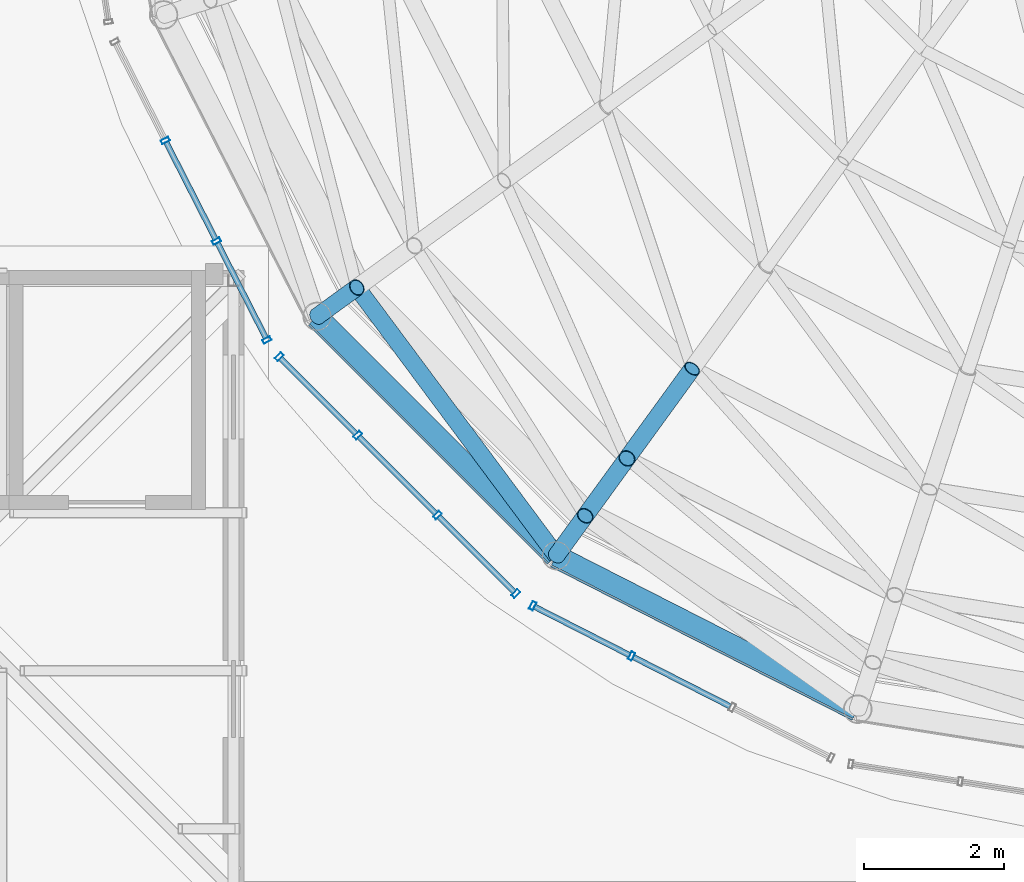
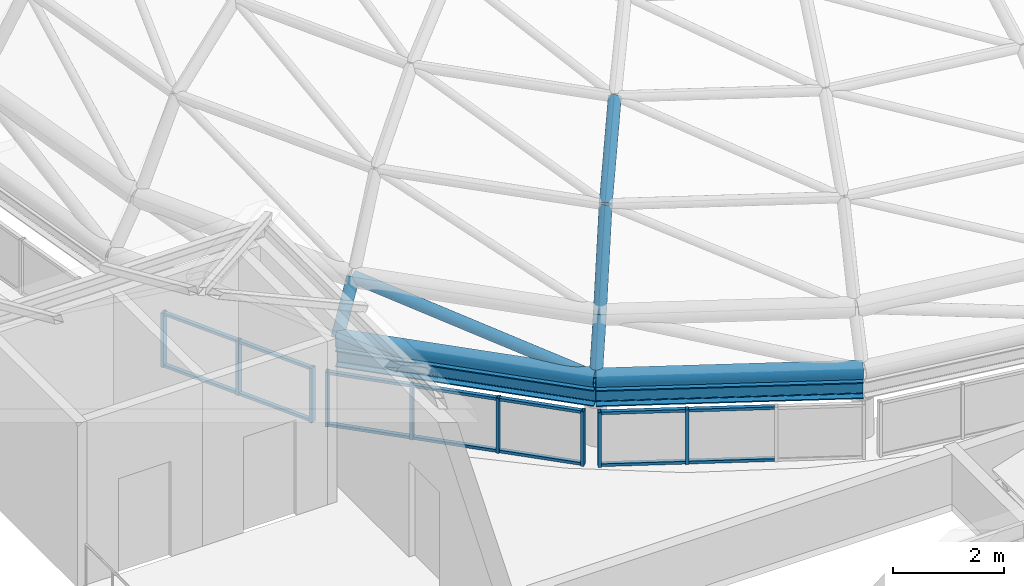
# One storey, part 14 of 69: 30 members, 2 beams, 3 elements without a shape of their own.
"""IFC4 building model written with IfcOpenShell, lengths in metres."""

from ifc_helpers import new_model, si_unit, direction, frame, origin, origin_2d, place, context, subcontext, project, spatial, hollow_rectangle, hollow_circle, i_section, extrude, material, layer, layer_set, material_profile, profile_set, type_object, element, aggregate, save


model = new_model("IFC4")

# Units and contexts
model_context = context("Model", 3, precision=1e-05, world=origin(), true_north=direction((0.0, 1.0)))
body_context = subcontext(model_context, "Body", "Model", "MODEL_VIEW")
ifc_project = project(units=[si_unit("LENGTHUNIT", "METRE"), si_unit("AREAUNIT", "SQUARE_METRE"), si_unit("VOLUMEUNIT", "CUBIC_METRE"), si_unit("PLANEANGLEUNIT", "RADIAN"), si_unit("MASSUNIT", "GRAM", prefix="KILO")], contexts=[model_context])

# Site, building, storey
site_placement = place(None, origin())
site = spatial("IfcSite", under=ifc_project, at=site_placement, CompositionType="ELEMENT")
building_placement = place(site_placement, origin())
building = spatial("IfcBuilding", under=site, at=building_placement, Name="Kallimachos Central Library", CompositionType="ELEMENT")
storey_placement = place(building_placement, frame((0.0, 0.0, 23.39990234375)))
storey = spatial("IfcBuildingStorey", under=building, at=storey_placement, Name="L05", CompositionType="ELEMENT", Elevation=23.39990234375)

# Members
ifc_material_1 = material(Name="Steel S355J2H", Category="steel")
ifc_material_profile_1 = material_profile(ifc_material_1, hollow_circle(Radius=0.122314453125, WallThickness=0.012451171875, at=origin_2d()), Name="CHS 244.5x12.5")
ifc_profile_set_1 = profile_set([ifc_material_profile_1], Name="Steel S355J2H")
member_type_1 = type_object("IfcMemberType", Name="CHS 244.5x12.5 dome diagonal", PredefinedType="BRACE", material=ifc_profile_set_1)
member_1_placement = place(storey_placement, frame((76.107421875, 95.759521484375, 2.27783203125), z_axis=(0.586483385768, -0.788362711939, -0.18579954963), x_axis=(0.80233320321, 0.596876395099, 0.0)))
element("IfcMember", 1, at=member_1_placement, inside=storey, type_object=member_type_1, Name="Dome diagonal DD-7-12", PredefinedType="BRACE", context=body_context, shape_type="SweptSolid", body=[
    extrude(hollow_circle(Radius=0.122314453125, WallThickness=0.012451171875, at=origin_2d()), origin(), (0.0, 0.0, 1.0), 4.843505859375),
])
ifc_material_2 = material(Name="Steel S355J2H", Category="steel")
ifc_material_profile_2 = material_profile(ifc_material_2, hollow_circle(Radius=0.122314453125, WallThickness=0.012451171875, at=origin_2d()), Name="CHS 244.5x12.5")
ifc_profile_set_2 = profile_set([ifc_material_profile_2], Name="Steel S355J2H")
member_type_2 = type_object("IfcMemberType", Name="CHS 244.5x12.5 dome rib", PredefinedType="RAFTER", material=ifc_profile_set_2)
member_2_placement = place(storey_placement, frame((80.88232421875, 94.603515625, 5.268310546875), z_axis=(-0.458193176773, -0.630678095054, -0.626341882024), x_axis=(0.809029975545, -0.58776738483, 0.0)))
element("IfcMember", 2, at=member_2_placement, inside=storey, type_object=member_type_2, Name="Dome rib DR-5-13", PredefinedType="RAFTER", context=body_context, shape_type="SweptSolid", body=[
    extrude(hollow_circle(Radius=0.122314453125, WallThickness=0.012451171875, at=origin_2d()), origin(), (0.0, 0.0, 1.0), 2.02685546875),
])
member_3_placement = place(storey_placement, frame((79.95361328125, 93.3251953125, 3.998779296875), z_axis=(-0.297630119581, -0.409684862505, -0.862307732398), x_axis=(0.809038926726, -0.587755063817, 0.0)))
element("IfcMember", 3, at=member_3_placement, inside=storey, type_object=member_type_2, Name="Dome rib DR-6-13", PredefinedType="RAFTER", context=body_context, shape_type="SweptSolid", body=[
    extrude(hollow_circle(Radius=0.122314453125, WallThickness=0.012451171875, at=origin_2d()), origin(), (0.0, 0.0, 1.0), 1.995849609375),
])
member_4_placement = place(storey_placement, frame((76.107421875, 95.759521484375, 2.27783203125), z_axis=(-0.496634430506, -0.360857703925, -0.789389612266), x_axis=(0.587819016355, -0.808992462271, 0.0)))
element("IfcMember", 4, at=member_4_placement, inside=storey, type_object=member_type_2, Name="Dome rib DR-7-12", PredefinedType="RAFTER", context=body_context, shape_type="SweptSolid", body=[
    extrude(hollow_circle(Radius=0.122314453125, WallThickness=0.012451171875, at=origin_2d()), origin(), (0.0, 0.0, 1.0), 1.139892578125),
])
member_5_placement = place(storey_placement, frame((79.359619140625, 92.507568359375, 2.27783203125), z_axis=(-0.361005557434, -0.49675735068, -0.789244652847), x_axis=(0.80894712746, -0.587881403835, 0.0)))
element("IfcMember", 5, at=member_5_placement, inside=storey, type_object=member_type_2, Name="Dome rib DR-7-13", PredefinedType="RAFTER", context=body_context, shape_type="SweptSolid", body=[
    extrude(hollow_circle(Radius=0.122314453125, WallThickness=0.012451171875, at=origin_2d()), origin(), (0.0, 0.0, 1.0), 1.14013671875),
])
ifc_material_3 = material(Name="Steel S355J2H", Category="steel")
ifc_material_profile_3 = material_profile(ifc_material_3, hollow_circle(Radius=0.177734375, WallThickness=0.008056640625, at=origin_2d()), Name="CHS 355.6x8")
ifc_profile_set_3 = profile_set([ifc_material_profile_3], Name="Steel S355J2H")
member_type_3 = type_object("IfcMemberType", Name="CHS 355.6x8 dome ring", PredefinedType="PURLIN", material=ifc_profile_set_3)
member_6_placement = place(storey_placement, frame((75.541259765625, 95.34814453125, 1.3779296875), z_axis=(0.707081444577, -0.707132116889, 0.0), x_axis=(0.707132116889, 0.707081444577, 0.0)))
element("IfcMember", 6, at=member_6_placement, inside=storey, type_object=member_type_3, Name="Dome ring DN-8-12", PredefinedType="PURLIN", context=body_context, shape_type="SweptSolid", body=[
    extrude(hollow_circle(Radius=0.177734375, WallThickness=0.008056640625, at=origin_2d()), origin(), (0.0, 0.0, 1.0), 4.818115234375),
])
member_7_placement = place(storey_placement, frame((78.947998046875, 91.941162109375, 1.3779296875), z_axis=(0.891006627269, -0.453990297432, 0.0), x_axis=(0.453990297432, 0.891006627269, 0.0)))
element("IfcMember", 7, at=member_7_placement, inside=storey, type_object=member_type_3, Name="Dome ring DN-8-13", PredefinedType="PURLIN", context=body_context, shape_type="SweptSolid", body=[
    extrude(hollow_circle(Radius=0.177734375, WallThickness=0.008056640625, at=origin_2d()), origin(), (0.0, 0.0, 1.0), 4.818359375),
])

# Curtain wall, members
ifc_material_4 = material(Name="Anodised aluminium and laminated glass", Category="aluminium")
ifc_layer = layer(ifc_material_4, 0.159912109375)
ifc_layer_set = layer_set([ifc_layer], Name="Glass box curtain wall")
curtain_wall_type = type_object("IfcCurtainWallType", Name="Glass box curtain wall", PredefinedType="NOTDEFINED", material=ifc_layer_set)
curtain_wall_1_placement = place(storey_placement, origin())
curtain_wall_1 = element("IfcCurtainWall", 8, at=curtain_wall_1_placement, inside=storey, type_object=curtain_wall_type, Name="Drum clerestory facet 12", PredefinedType="NOTDEFINED")
ifc_material_5 = material(Name="Anodised aluminium", Category="aluminium")
ifc_material_profile_4 = material_profile(ifc_material_5, hollow_rectangle(XDim=0.06005859375, YDim=0.1201171875, WallThickness=0.00390625, at=origin_2d()), Name="ALU MULLION 60x120")
ifc_profile_set_4 = profile_set([ifc_material_profile_4], Name="Anodised aluminium")
member_type_4 = type_object("IfcMemberType", Name="Glass box mullion 60x120", PredefinedType="MULLION", material=ifc_profile_set_4)
member_8_placement = place(storey_placement, frame((73.378662109375, 97.85302734375, 0.0), z_axis=(0.0, 0.0, 1.0), x_axis=(0.453990803653, -0.891006369337, 0.0)))
member_8 = element("IfcMember", 9, at=member_8_placement, type_object=member_type_4, Name="CW46 mullion 2", PredefinedType="MULLION", context=body_context, shape_type="SweptSolid", body=[
    extrude(hollow_rectangle(XDim=0.06005859375, YDim=0.1201171875, WallThickness=0.00390625, at=origin_2d()), origin(), (0.0, 0.0, 1.0), 1.2001953125),
])
member_9_placement = place(storey_placement, frame((74.109130859375, 96.419189453125, 0.0), z_axis=(0.0, 0.0, 1.0), x_axis=(0.453990803653, -0.891006369337, 0.0)))
member_9 = element("IfcMember", 10, at=member_9_placement, type_object=member_type_4, Name="CW46 mullion 3", PredefinedType="MULLION", context=body_context, shape_type="SweptSolid", body=[
    extrude(hollow_rectangle(XDim=0.06005859375, YDim=0.1201171875, WallThickness=0.00390625, at=origin_2d()), origin(), (0.0, 0.0, 1.0), 1.2001953125),
])
member_10_placement = place(storey_placement, frame((74.826171875, 95.011962890625, 0.0), z_axis=(0.0, 0.0, 1.0), x_axis=(0.453990803653, -0.891006369337, 0.0)))
member_10 = element("IfcMember", 11, at=member_10_placement, type_object=member_type_4, Name="CW46 mullion 4", PredefinedType="MULLION", context=body_context, shape_type="SweptSolid", body=[
    extrude(hollow_rectangle(XDim=0.06005859375, YDim=0.1201171875, WallThickness=0.00390625, at=origin_2d()), origin(), (0.0, 0.0, 1.0), 1.2001953125),
])

curtain_wall_2_placement = place(storey_placement, origin())
curtain_wall_2 = element("IfcCurtainWall", 12, at=curtain_wall_2_placement, inside=storey, type_object=curtain_wall_type, Name="Drum clerestory facet 13", PredefinedType="NOTDEFINED")
member_11_placement = place(storey_placement, frame((75.00048828125, 94.772216796875, 0.0), z_axis=(0.0, 0.0, 1.0), x_axis=(0.707106781187, -0.707106781187, 0.0)))
member_11 = element("IfcMember", 13, at=member_11_placement, type_object=member_type_4, Name="CW47 mullion 1", PredefinedType="MULLION", context=body_context, shape_type="SweptSolid", body=[
    extrude(hollow_rectangle(XDim=0.06005859375, YDim=0.1201171875, WallThickness=0.00390625, at=origin_2d()), origin(), (0.0, 0.0, 1.0), 1.2001953125),
])
member_12_placement = place(storey_placement, frame((76.1171875, 93.6552734375, 0.0), z_axis=(0.0, 0.0, 1.0), x_axis=(0.707106781187, -0.707106781187, 0.0)))
member_12 = element("IfcMember", 14, at=member_12_placement, type_object=member_type_4, Name="CW47 mullion 2", PredefinedType="MULLION", context=body_context, shape_type="SweptSolid", body=[
    extrude(hollow_rectangle(XDim=0.06005859375, YDim=0.1201171875, WallThickness=0.00390625, at=origin_2d()), origin(), (0.0, 0.0, 1.0), 1.2001953125),
])
member_13_placement = place(storey_placement, frame((77.25537109375, 92.517333984375, 0.0), z_axis=(0.0, 0.0, 1.0), x_axis=(0.707106781187, -0.707106781187, 0.0)))
member_13 = element("IfcMember", 15, at=member_13_placement, type_object=member_type_4, Name="CW47 mullion 3", PredefinedType="MULLION", context=body_context, shape_type="SweptSolid", body=[
    extrude(hollow_rectangle(XDim=0.06005859375, YDim=0.1201171875, WallThickness=0.00390625, at=origin_2d()), origin(), (0.0, 0.0, 1.0), 1.2001953125),
])
member_14_placement = place(storey_placement, frame((78.3720703125, 91.400390625, 0.0), z_axis=(0.0, 0.0, 1.0), x_axis=(0.707106781187, -0.707106781187, 0.0)))
member_14 = element("IfcMember", 16, at=member_14_placement, type_object=member_type_4, Name="CW47 mullion 4", PredefinedType="MULLION", context=body_context, shape_type="SweptSolid", body=[
    extrude(hollow_rectangle(XDim=0.06005859375, YDim=0.1201171875, WallThickness=0.00390625, at=origin_2d()), origin(), (0.0, 0.0, 1.0), 1.2001953125),
])

curtain_wall_3_placement = place(storey_placement, origin())
curtain_wall_3 = element("IfcCurtainWall", 17, at=curtain_wall_3_placement, inside=storey, type_object=curtain_wall_type, Name="Drum clerestory facet 14", PredefinedType="NOTDEFINED")
member_15_placement = place(storey_placement, frame((78.61181640625, 91.226318359375, 0.0), z_axis=(0.0, 0.0, 1.0), x_axis=(0.891006369337, -0.453990803653, 0.0)))
member_15 = element("IfcMember", 18, at=member_15_placement, type_object=member_type_4, Name="CW48 mullion 1", PredefinedType="MULLION", context=body_context, shape_type="SweptSolid", body=[
    extrude(hollow_rectangle(XDim=0.06005859375, YDim=0.1201171875, WallThickness=0.00390625, at=origin_2d()), origin(), (0.0, 0.0, 1.0), 1.2001953125),
])
member_16_placement = place(storey_placement, frame((80.01904296875, 90.50927734375, 0.0), z_axis=(0.0, 0.0, 1.0), x_axis=(0.891006369337, -0.453990803653, 0.0)))
member_16 = element("IfcMember", 19, at=member_16_placement, type_object=member_type_4, Name="CW48 mullion 2", PredefinedType="MULLION", context=body_context, shape_type="SweptSolid", body=[
    extrude(hollow_rectangle(XDim=0.06005859375, YDim=0.1201171875, WallThickness=0.00390625, at=origin_2d()), origin(), (0.0, 0.0, 1.0), 1.2001953125),
])

# Member
ifc_material_6 = material(Name="Anodised aluminium", Category="aluminium")
ifc_material_profile_5 = material_profile(ifc_material_6, hollow_rectangle(XDim=0.06005859375, YDim=0.080078125, WallThickness=0.00390625, at=origin_2d()), Name="ALU TRANSOM 60x80")
ifc_profile_set_5 = profile_set([ifc_material_profile_5], Name="Anodised aluminium")
member_type_5 = type_object("IfcMemberType", Name="Glass box transom 60x80", PredefinedType="USERDEFINED", material=ifc_profile_set_5)
member_17_placement = place(storey_placement, frame((73.39208984375, 97.826416015625, 0.030029296875), z_axis=(0.454069746973, -0.890966141267, 0.0), x_axis=(0.0, 0.0, 1.0)))
member_17 = element("IfcMember", 20, at=member_17_placement, type_object=member_type_5, Name="CW46 transom 2.1", ObjectType="TRANSOM", PredefinedType="USERDEFINED", context=body_context, shape_type="SweptSolid", body=[
    extrude(hollow_rectangle(XDim=0.06005859375, YDim=0.080078125, WallThickness=0.00390625, at=origin_2d()), origin(), (0.0, 0.0, 1.0), 1.549560546875),
])

member_18_placement = place(storey_placement, frame((73.39208984375, 97.826416015625, 1.170166015625), z_axis=(0.454069746973, -0.890966141267, 0.0), x_axis=(0.0, 0.0, 1.0)))
member_18 = element("IfcMember", 21, at=member_18_placement, type_object=member_type_5, Name="CW46 transom 2.2", ObjectType="TRANSOM", PredefinedType="USERDEFINED", context=body_context, shape_type="SweptSolid", body=[
    extrude(hollow_rectangle(XDim=0.06005859375, YDim=0.080078125, WallThickness=0.00390625, at=origin_2d()), origin(), (0.0, 0.0, 1.0), 1.549560546875),
])

member_19_placement = place(storey_placement, frame((74.122802734375, 96.392333984375, 0.030029296875), z_axis=(0.454077415739, -0.890962232935, 0.0), x_axis=(0.0, 0.0, 1.0)))
member_19 = element("IfcMember", 22, at=member_19_placement, type_object=member_type_5, Name="CW46 transom 3.1", ObjectType="TRANSOM", PredefinedType="USERDEFINED", context=body_context, shape_type="SweptSolid", body=[
    extrude(hollow_rectangle(XDim=0.06005859375, YDim=0.080078125, WallThickness=0.00390625, at=origin_2d()), origin(), (0.0, 0.0, 1.0), 1.51953125),
])

member_20_placement = place(storey_placement, frame((74.122802734375, 96.392333984375, 1.170166015625), z_axis=(0.454077415739, -0.890962232935, 0.0), x_axis=(0.0, 0.0, 1.0)))
member_20 = element("IfcMember", 23, at=member_20_placement, type_object=member_type_5, Name="CW46 transom 3.2", ObjectType="TRANSOM", PredefinedType="USERDEFINED", context=body_context, shape_type="SweptSolid", body=[
    extrude(hollow_rectangle(XDim=0.06005859375, YDim=0.080078125, WallThickness=0.00390625, at=origin_2d()), origin(), (0.0, 0.0, 1.0), 1.51953125),
])

aggregate(curtain_wall_1, [member_8, member_9, member_10, member_17, member_18, member_19, member_20])

member_21_placement = place(storey_placement, frame((75.021728515625, 94.7509765625, 0.030029296875), z_axis=(0.707026432709, -0.707187120535, 0.0), x_axis=(0.0, 0.0, 1.0)))
member_21 = element("IfcMember", 24, at=member_21_placement, type_object=member_type_5, Name="CW47 transom 1.1", ObjectType="TRANSOM", PredefinedType="USERDEFINED", context=body_context, shape_type="SweptSolid", body=[
    extrude(hollow_rectangle(XDim=0.06005859375, YDim=0.080078125, WallThickness=0.00390625, at=origin_2d()), origin(), (0.0, 0.0, 1.0), 1.519287109375),
])

member_22_placement = place(storey_placement, frame((75.021728515625, 94.7509765625, 1.170166015625), z_axis=(0.707026432709, -0.707187120535, 0.0), x_axis=(0.0, 0.0, 1.0)))
member_22 = element("IfcMember", 25, at=member_22_placement, type_object=member_type_5, Name="CW47 transom 1.2", ObjectType="TRANSOM", PredefinedType="USERDEFINED", context=body_context, shape_type="SweptSolid", body=[
    extrude(hollow_rectangle(XDim=0.06005859375, YDim=0.080078125, WallThickness=0.00390625, at=origin_2d()), origin(), (0.0, 0.0, 1.0), 1.519287109375),
])

member_23_placement = place(storey_placement, frame((76.138427734375, 93.634033203125, 0.030029296875), z_axis=(0.707185563068, -0.707027990527, 0.0), x_axis=(0.0, 0.0, 1.0)))
member_23 = element("IfcMember", 26, at=member_23_placement, type_object=member_type_5, Name="CW47 transom 2.1", ObjectType="TRANSOM", PredefinedType="USERDEFINED", context=body_context, shape_type="SweptSolid", body=[
    extrude(hollow_rectangle(XDim=0.06005859375, YDim=0.080078125, WallThickness=0.00390625, at=origin_2d()), origin(), (0.0, 0.0, 1.0), 1.54931640625),
])

member_24_placement = place(storey_placement, frame((76.138427734375, 93.634033203125, 1.170166015625), z_axis=(0.707185563068, -0.707027990527, 0.0), x_axis=(0.0, 0.0, 1.0)))
member_24 = element("IfcMember", 27, at=member_24_placement, type_object=member_type_5, Name="CW47 transom 2.2", ObjectType="TRANSOM", PredefinedType="USERDEFINED", context=body_context, shape_type="SweptSolid", body=[
    extrude(hollow_rectangle(XDim=0.06005859375, YDim=0.080078125, WallThickness=0.00390625, at=origin_2d()), origin(), (0.0, 0.0, 1.0), 1.54931640625),
])

member_25_placement = place(storey_placement, frame((77.276611328125, 92.49609375, 0.030029296875), z_axis=(0.707026432709, -0.707187120535, 0.0), x_axis=(0.0, 0.0, 1.0)))
member_25 = element("IfcMember", 28, at=member_25_placement, type_object=member_type_5, Name="CW47 transom 3.1", ObjectType="TRANSOM", PredefinedType="USERDEFINED", context=body_context, shape_type="SweptSolid", body=[
    extrude(hollow_rectangle(XDim=0.06005859375, YDim=0.080078125, WallThickness=0.00390625, at=origin_2d()), origin(), (0.0, 0.0, 1.0), 1.519287109375),
])

member_26_placement = place(storey_placement, frame((77.276611328125, 92.49609375, 1.170166015625), z_axis=(0.707026432709, -0.707187120535, 0.0), x_axis=(0.0, 0.0, 1.0)))
member_26 = element("IfcMember", 29, at=member_26_placement, type_object=member_type_5, Name="CW47 transom 3.2", ObjectType="TRANSOM", PredefinedType="USERDEFINED", context=body_context, shape_type="SweptSolid", body=[
    extrude(hollow_rectangle(XDim=0.06005859375, YDim=0.080078125, WallThickness=0.00390625, at=origin_2d()), origin(), (0.0, 0.0, 1.0), 1.519287109375),
])

aggregate(curtain_wall_2, [member_11, member_12, member_13, member_14, member_21, member_22, member_23, member_24, member_25, member_26])

member_27_placement = place(storey_placement, frame((78.638671875, 91.212646484375, 0.030029296875), z_axis=(0.891027233573, -0.453949852992, 0.0), x_axis=(0.0, 0.0, 1.0)))
member_27 = element("IfcMember", 30, at=member_27_placement, type_object=member_type_5, Name="CW48 transom 1.1", ObjectType="TRANSOM", PredefinedType="USERDEFINED", context=body_context, shape_type="SweptSolid", body=[
    extrude(hollow_rectangle(XDim=0.06005859375, YDim=0.080078125, WallThickness=0.00390625, at=origin_2d()), origin(), (0.0, 0.0, 1.0), 1.519287109375),
])

member_28_placement = place(storey_placement, frame((78.638671875, 91.212646484375, 1.170166015625), z_axis=(0.891027233573, -0.453949852992, 0.0), x_axis=(0.0, 0.0, 1.0)))
member_28 = element("IfcMember", 31, at=member_28_placement, type_object=member_type_5, Name="CW48 transom 1.2", ObjectType="TRANSOM", PredefinedType="USERDEFINED", context=body_context, shape_type="SweptSolid", body=[
    extrude(hollow_rectangle(XDim=0.06005859375, YDim=0.080078125, WallThickness=0.00390625, at=origin_2d()), origin(), (0.0, 0.0, 1.0), 1.519287109375),
])

member_29_placement = place(storey_placement, frame((80.0458984375, 90.49560546875, 0.030029296875), z_axis=(0.891029877091, -0.453944664173, 0.0), x_axis=(0.0, 0.0, 1.0)))
member_29 = element("IfcMember", 32, at=member_29_placement, type_object=member_type_5, Name="CW48 transom 2.1", ObjectType="TRANSOM", PredefinedType="USERDEFINED", context=body_context, shape_type="SweptSolid", body=[
    extrude(hollow_rectangle(XDim=0.06005859375, YDim=0.080078125, WallThickness=0.00390625, at=origin_2d()), origin(), (0.0, 0.0, 1.0), 1.549560546875),
])

member_30_placement = place(storey_placement, frame((80.0458984375, 90.49560546875, 1.170166015625), z_axis=(0.891029877091, -0.453944664173, 0.0), x_axis=(0.0, 0.0, 1.0)))
member_30 = element("IfcMember", 33, at=member_30_placement, type_object=member_type_5, Name="CW48 transom 2.2", ObjectType="TRANSOM", PredefinedType="USERDEFINED", context=body_context, shape_type="SweptSolid", body=[
    extrude(hollow_rectangle(XDim=0.06005859375, YDim=0.080078125, WallThickness=0.00390625, at=origin_2d()), origin(), (0.0, 0.0, 1.0), 1.549560546875),
])

aggregate(curtain_wall_3, [member_15, member_16, member_27, member_28, member_29, member_30])

# Beams
ifc_material_7 = material(Name="Steel S355J2", Category="steel")
ifc_material_profile_6 = material_profile(ifc_material_7, i_section(OverallWidth=0.300048828125, OverallDepth=0.360107421875, WebThickness=0.012451171875, FlangeThickness=0.0224609375, FilletRadius=0.027099609375, at=origin_2d()), Name="HEB 360")
ifc_profile_set_6 = profile_set([ifc_material_profile_6], Name="Steel S355J2")
beam_type = type_object("IfcBeamType", Name="HEB 360 beam", PredefinedType="BEAM", material=ifc_profile_set_6)
beam_1_placement = place(storey_placement, frame((75.541015625, 95.34814453125, 1.02001953125), z_axis=(0.707106781187, -0.707106781187, 0.0), x_axis=(0.707106781187, 0.707106781187, 0.0)))
element("IfcBeam", 34, at=beam_1_placement, inside=storey, type_object=beam_type, Name="V1-BEM-L05-013", PredefinedType="BEAM", context=body_context, shape_type="SweptSolid", body=[
    extrude(i_section(OverallWidth=0.300048828125, OverallDepth=0.360107421875, WebThickness=0.012451171875, FlangeThickness=0.0224609375, FilletRadius=0.027099609375, at=origin_2d()), origin(), (0.0, 0.0, 1.0), 4.818115234375),
])
beam_2_placement = place(storey_placement, frame((78.947998046875, 91.941162109375, 1.02001953125), z_axis=(0.891006627269, -0.453990297432, 0.0), x_axis=(0.453990297432, 0.891006627269, 0.0)))
element("IfcBeam", 35, at=beam_2_placement, inside=storey, type_object=beam_type, Name="V1-BEM-L05-014", PredefinedType="BEAM", context=body_context, shape_type="SweptSolid", body=[
    extrude(i_section(OverallWidth=0.300048828125, OverallDepth=0.360107421875, WebThickness=0.012451171875, FlangeThickness=0.0224609375, FilletRadius=0.027099609375, at=origin_2d()), origin(), (0.0, 0.0, 1.0), 4.818359375),
])

save(model, "model.ifc")
